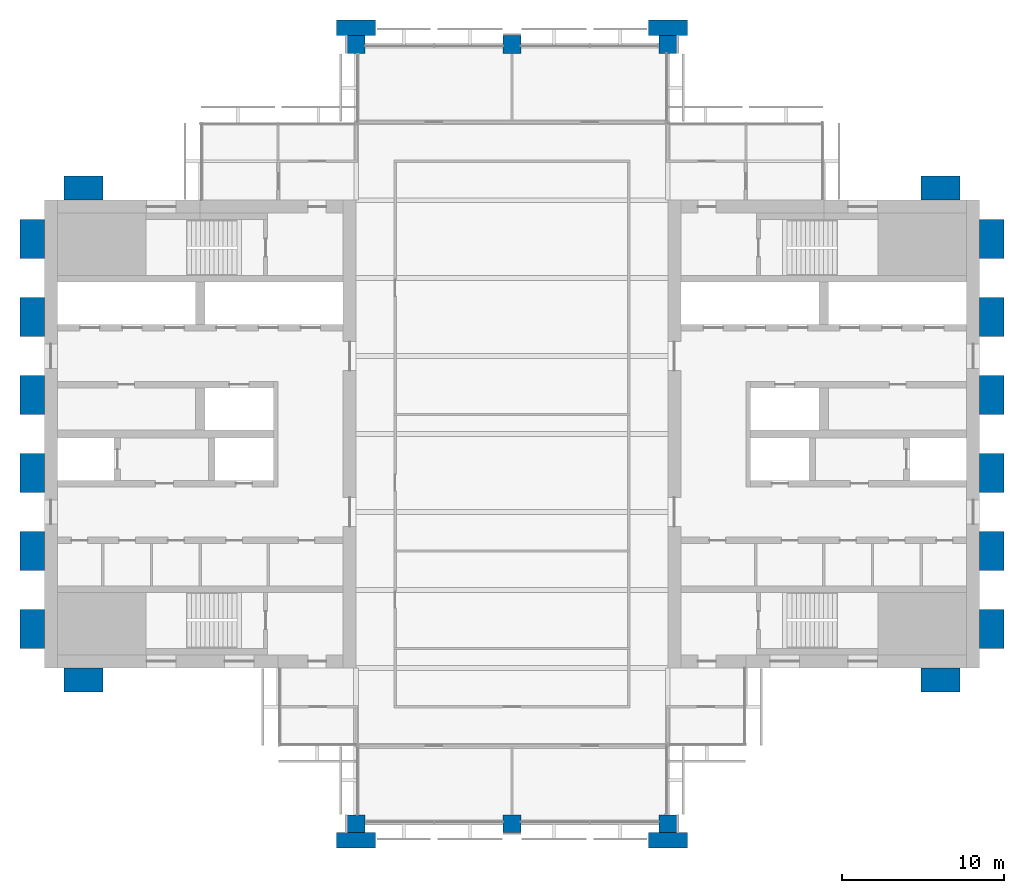
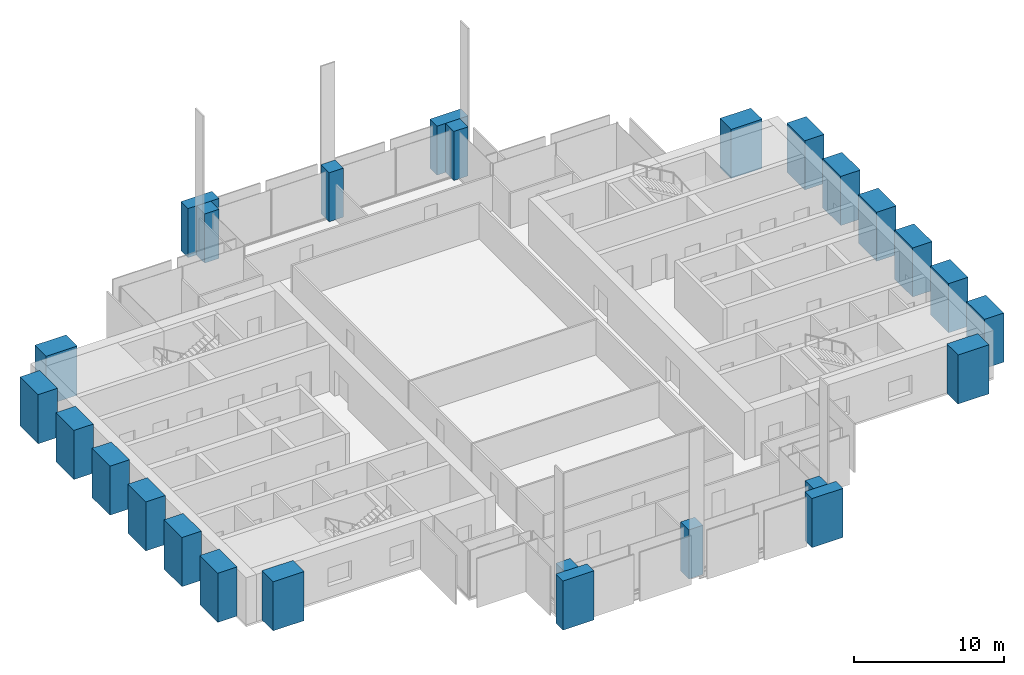
# One storey, part 1 of 13: 26 columns.
"""IFC4 building model written with IfcOpenShell, lengths in metres."""

from ifc_helpers import new_model, si_unit, direction, frame, origin, origin_2d, place, context, subcontext, project, spatial, rectangle, extrude, material, material_profile, profile_set, type_object, element, save


model = new_model("IFC4")

# Units and contexts
model_context = context("Model", 3, precision=1e-05, world=origin(), true_north=direction((0.0, 1.0)))
body_context = subcontext(model_context, "Body", "Model", "MODEL_VIEW")
ifc_project = project(units=[si_unit("LENGTHUNIT", "METRE"), si_unit("AREAUNIT", "SQUARE_METRE"), si_unit("VOLUMEUNIT", "CUBIC_METRE"), si_unit("PLANEANGLEUNIT", "RADIAN"), si_unit("MASSUNIT", "GRAM", prefix="KILO")], contexts=[model_context])

# Site, building, storey
site_placement = place(None, origin())
site = spatial("IfcSite", under=ifc_project, at=site_placement, CompositionType="ELEMENT")
building_placement = place(site_placement, origin())
building = spatial("IfcBuilding", under=site, at=building_placement, Name="Baori Bourse Tower", CompositionType="ELEMENT")
storey_placement = place(building_placement, frame((0.0, 0.0, 249.199951171875)))
storey = spatial("IfcBuildingStorey", under=building, at=storey_placement, Name="L55", CompositionType="ELEMENT", Elevation=249.199951171875)

# Columns
ifc_material_1 = material(Name="Concrete f'c 60 MPa", Category="concrete")
ifc_material_profile_1 = material_profile(ifc_material_1, rectangle(XDim=2.39990234375, YDim=0.949951171875, at=origin_2d()), Name="RC 2400x950")
ifc_profile_set_1 = profile_set([ifc_material_profile_1], Name="Concrete f'c 60 MPa")
column_type_1 = type_object("IfcColumnType", Name="FN3 Brick pilaster 2400x950", PredefinedType="PILASTER", material=ifc_profile_set_1)
for number, where, z_axis, x_axis, name in (
    (1, (19.199951171875, -1.02490234375, 0.0), (0.0, 0.0, 1.0), (1.0, 0.0, 0.0), "Brick pilaster L55 17"),
    (2, (38.39990234375, -1.02490234375, 0.0), (0.0, 0.0, 1.0), (1.0, 0.0, 0.0), "Brick pilaster L55 18"),
    (3, (19.199951171875, 49.02490234375, 0.0), (0.0, 0.0, 1.0), (1.0, 0.0, 0.0), "Brick pilaster L55 19"),
    (4, (38.39990234375, 49.02490234375, 0.0), (0.0, 0.0, 1.0), (1.0, 0.0, 0.0), "Brick pilaster L55 20"),
):
    element("IfcColumn", number, at=place(storey_placement, frame(where, z_axis=z_axis, x_axis=x_axis)), inside=storey, type_object=column_type_1, Name=name, PredefinedType="PILASTER", context=body_context, shape_type="SweptSolid", body=[
        extrude(rectangle(XDim=2.39990234375, YDim=0.949951171875, at=origin_2d()), origin(), (0.0, 0.0, 1.0), 4.0),
    ])
ifc_material_2 = material(Name="Concrete f'c 60 MPa", Category="concrete")
ifc_material_profile_2 = material_profile(ifc_material_2, rectangle(XDim=2.39990234375, YDim=1.5, at=origin_2d()), Name="RC 2400x1500")
ifc_profile_set_2 = profile_set([ifc_material_profile_2], Name="Concrete f'c 60 MPa")
column_type_2 = type_object("IfcColumnType", Name="FN4 Brick flank pilaster 2400x1500", PredefinedType="PILASTER", material=ifc_profile_set_2)
for number, where, z_axis, x_axis, name in (
    (5, (55.199951171875, 8.85009765625, 0.0), (0.0, 0.0, 1.0), (1.0, 0.0, 0.0), "Brick pilaster L55 1"),
    (6, (58.35009765625, 12.0, 0.0), (0.0, 0.0, 1.0), (0.0, 1.0, 0.0), "Brick pilaster L55 2"),
    (7, (58.35009765625, 16.800048828125, 0.0), (0.0, 0.0, 1.0), (0.0, 1.0, 0.0), "Brick pilaster L55 3"),
    (8, (58.35009765625, 21.60009765625, 0.0), (0.0, 0.0, 1.0), (0.0, 1.0, 0.0), "Brick pilaster L55 4"),
    (9, (58.35009765625, 26.39990234375, 0.0), (0.0, 0.0, 1.0), (0.0, 1.0, 0.0), "Brick pilaster L55 5"),
    (10, (58.35009765625, 31.199951171875, 0.0), (0.0, 0.0, 1.0), (0.0, 1.0, 0.0), "Brick pilaster L55 6"),
    (11, (58.35009765625, 36.0, 0.0), (0.0, 0.0, 1.0), (0.0, 1.0, 0.0), "Brick pilaster L55 7"),
    (12, (55.199951171875, 39.14990234375, 0.0), (0.0, 0.0, 1.0), (1.0, 0.0, 0.0), "Brick pilaster L55 8"),
    (13, (2.39990234375, 39.14990234375, 0.0), (0.0, 0.0, 1.0), (1.0, 0.0, 0.0), "Brick pilaster L55 9"),
    (14, (-0.75, 12.0, 0.0), (0.0, 0.0, 1.0), (0.0, 1.0, 0.0), "Brick pilaster L55 10"),
    (15, (-0.75, 16.800048828125, 0.0), (0.0, 0.0, 1.0), (0.0, 1.0, 0.0), "Brick pilaster L55 11"),
    (16, (-0.75, 21.60009765625, 0.0), (0.0, 0.0, 1.0), (0.0, 1.0, 0.0), "Brick pilaster L55 12"),
    (17, (-0.75, 26.39990234375, 0.0), (0.0, 0.0, 1.0), (0.0, 1.0, 0.0), "Brick pilaster L55 13"),
    (18, (-0.75, 31.199951171875, 0.0), (0.0, 0.0, 1.0), (0.0, 1.0, 0.0), "Brick pilaster L55 14"),
    (19, (-0.75, 36.0, 0.0), (0.0, 0.0, 1.0), (0.0, 1.0, 0.0), "Brick pilaster L55 15"),
    (20, (2.39990234375, 8.85009765625, 0.0), (0.0, 0.0, 1.0), (1.0, 0.0, 0.0), "Brick pilaster L55 16"),
):
    element("IfcColumn", number, at=place(storey_placement, frame(where, z_axis=z_axis, x_axis=x_axis)), inside=storey, type_object=column_type_2, Name=name, PredefinedType="PILASTER", context=body_context, shape_type="SweptSolid", body=[
        extrude(rectangle(XDim=2.39990234375, YDim=1.5, at=origin_2d()), origin(), (0.0, 0.0, 1.0), 4.0),
    ])
ifc_material_3 = material(Name="Concrete f'c 50 MPa", Category="concrete")
ifc_material_profile_3 = material_profile(ifc_material_3, rectangle(XDim=1.10009765625, YDim=1.10009765625, at=origin_2d()), Name="RC 1100x1100")
ifc_profile_set_3 = profile_set([ifc_material_profile_3], Name="Concrete f'c 50 MPa")
column_type_3 = type_object("IfcColumnType", Name="Perimeter column 50 RC 1100x1100", PredefinedType="COLUMN", material=ifc_profile_set_3)
for number, where, z_axis, x_axis, name in (
    (21, (19.199951171875, 0.0, 0.0), (0.0, 0.0, 1.0), (1.0, 0.0, 0.0), "Perimeter column L55"),
    (22, (28.800048828125, 0.0, 0.0), (0.0, 0.0, 1.0), (1.0, 0.0, 0.0), "Perimeter column L55"),
    (23, (38.39990234375, 0.0, 0.0), (0.0, 0.0, 1.0), (1.0, 0.0, 0.0), "Perimeter column L55"),
    (24, (19.199951171875, 48.0, 0.0), (0.0, 0.0, 1.0), (1.0, 0.0, 0.0), "Perimeter column L55"),
    (25, (28.800048828125, 48.0, 0.0), (0.0, 0.0, 1.0), (1.0, 0.0, 0.0), "Perimeter column L55"),
    (26, (38.39990234375, 48.0, 0.0), (0.0, 0.0, 1.0), (1.0, 0.0, 0.0), "Perimeter column L55"),
):
    element("IfcColumn", number, at=place(storey_placement, frame(where, z_axis=z_axis, x_axis=x_axis)), inside=storey, type_object=column_type_3, Name=name, PredefinedType="COLUMN", context=body_context, shape_type="SweptSolid", body=[
        extrude(rectangle(XDim=1.10009765625, YDim=1.10009765625, at=origin_2d()), origin(), (0.0, 0.0, 1.0), 4.0),
    ])

save(model, "model.ifc")
